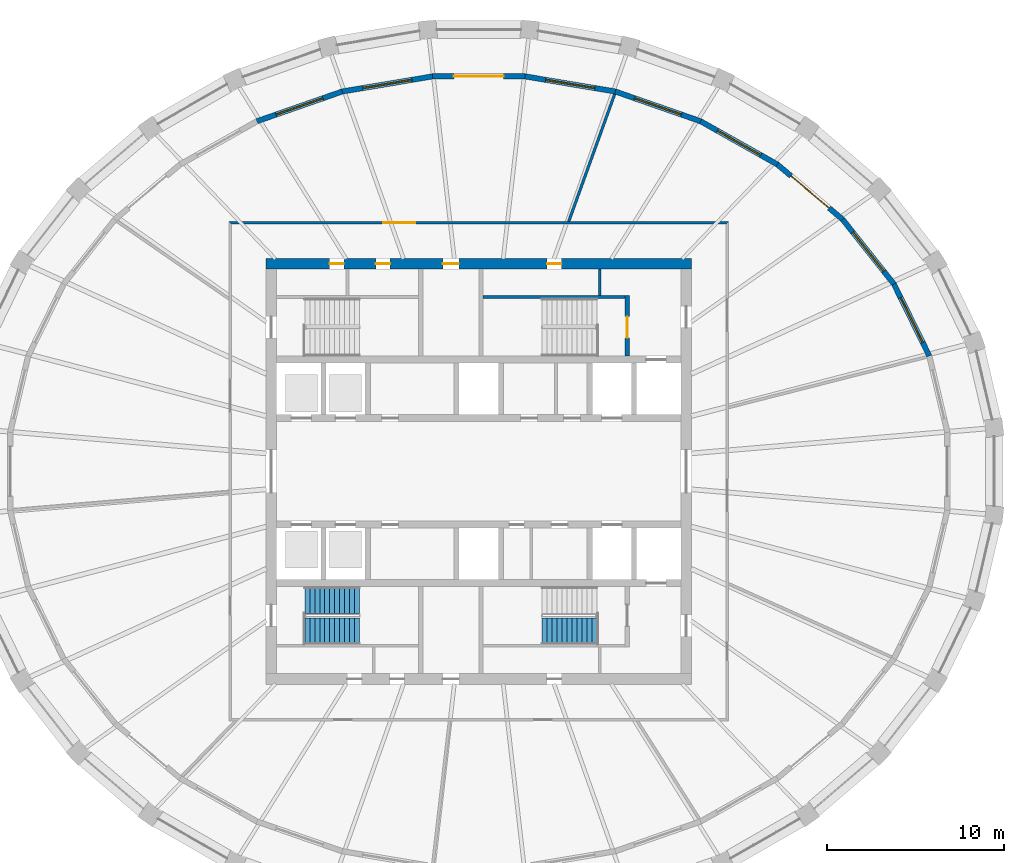
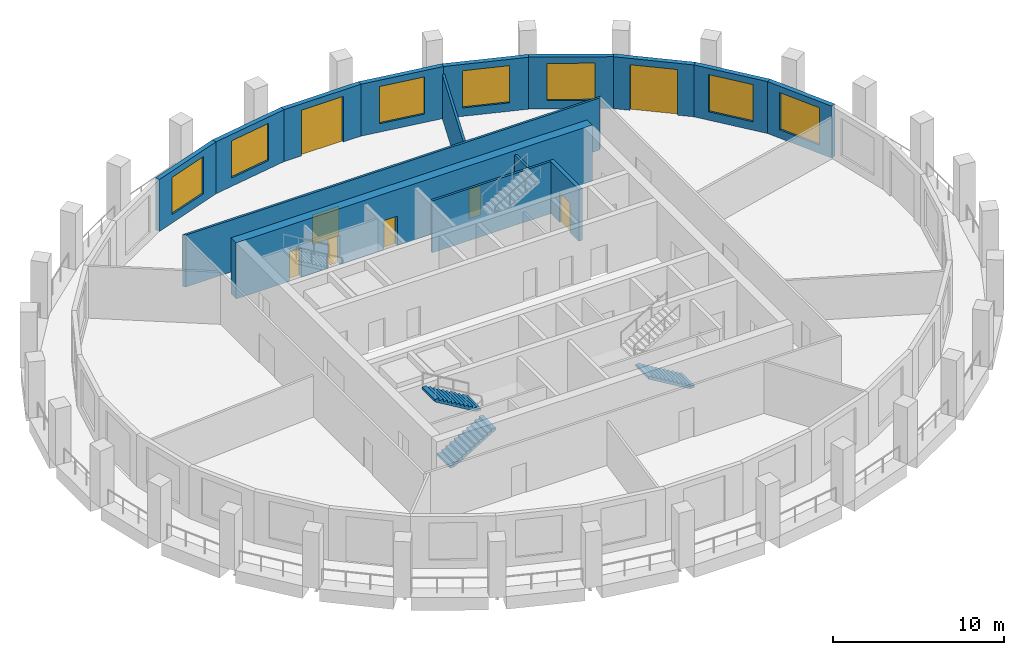
# One storey, part 6 of 10: 15 walls, 8 doors, 7 windows, 3 stair flights, 15 openings, 2 elements without a shape of their own.
"""IFC4 building model written with IfcOpenShell, lengths in metres."""

from ifc_helpers import new_model, si_unit, direction, frame, frame_2d, origin, place, context, subcontext, project, spatial, polyline, rectangle, outline, extrude, material, layer, layer_set, type_object, element, fill, aggregate, save


model = new_model("IFC4")

# Units and contexts
model_context = context("Model", 3, precision=1e-05, world=origin(), true_north=direction((0.0, 1.0)))
body_context = subcontext(model_context, "Body", "Model", "MODEL_VIEW")
ifc_project = project(units=[si_unit("LENGTHUNIT", "METRE"), si_unit("AREAUNIT", "SQUARE_METRE"), si_unit("VOLUMEUNIT", "CUBIC_METRE"), si_unit("PLANEANGLEUNIT", "RADIAN"), si_unit("MASSUNIT", "GRAM", prefix="KILO")], contexts=[model_context])

# Site, building, storey
site_placement = place(None, origin())
site = spatial("IfcSite", under=ifc_project, at=site_placement, CompositionType="ELEMENT")
building_placement = place(site_placement, origin())
building = spatial("IfcBuilding", under=site, at=building_placement, Name="Halqa Exchange Tower", CompositionType="ELEMENT")
storey_placement = place(building_placement, frame((0.0, 0.0, 292.300048828125)))
storey = spatial("IfcBuildingStorey", under=building, at=storey_placement, Name="L68", CompositionType="ELEMENT", Elevation=292.300048828125)

# Wall, opening, door
ifc_material_1 = material(Name="Fire-rated gypsum board")
ifc_layer_1 = layer(ifc_material_1, 0.14990234375)
ifc_layer_set_1 = layer_set([ifc_layer_1], Name="Fire-rated gypsum board")
wall_type_1 = type_object("IfcWallType", Name="Fire partition EI 60 150", PredefinedType="PARTITIONING", material=ifc_layer_set_1)
wall_1_placement = place(storey_placement, frame((-14.074951171875, 14.0, 0.0), z_axis=(0.0, 0.0, 1.0), x_axis=(1.0, 0.0, 0.0)))
wall_1 = element("IfcWall", 1, at=wall_1_placement, inside=storey, type_object=wall_type_1, Name="L68-PWL-005", PredefinedType="PARTITIONING", context=body_context, shape_type="SweptSolid", body=[
    extrude(outline(polyline([(0.14990234375, -0.074951171875), (2.13916015625, -0.074951171875), (4.12841796875, -0.074951171875), (6.11767578125, -0.074951171875), (8.107177734375, -0.074951171875), (10.096435546875, -0.074951171875), (12.085693359375, -0.074951171875), (14.074951171875, -0.074951171875), (16.064208984375, -0.074951171875), (18.053466796875, -0.074951171875), (20.042724609375, -0.074951171875), (22.0322265625, -0.074951171875), (24.021484375, -0.074951171875), (26.0107421875, -0.074951171875), (28.0, -0.074951171875), (28.14990234375, 0.074951171875), (26.273193359375, 0.074951171875), (24.396484375, 0.074951171875), (22.52001953125, 0.074951171875), (20.643310546875, 0.074951171875), (18.7666015625, 0.074951171875), (16.889892578125, 0.074951171875), (15.01318359375, 0.074951171875), (13.13671875, 0.074951171875), (11.260009765625, 0.074951171875), (9.38330078125, 0.074951171875), (7.506591796875, 0.074951171875), (5.6298828125, 0.074951171875), (3.75341796875, 0.074951171875), (1.876708984375, 0.074951171875), (0.0, 0.074951171875), (0.14990234375, -0.074951171875)])), origin(), (0.0, 0.0, 1.0), 3.699951171875),
])
opening_1_placement = place(wall_1_placement, frame((8.695068359375, 0.0, 0.0)))
opening_1 = element("IfcOpeningElement", 2, at=opening_1_placement, cuts=wall_1, Name="Opening 21-08", PredefinedType="OPENING", context=body_context, shape_type="SweptSolid", body=[
    extrude(rectangle(XDim=1.800048828125, YDim=2.10009765625, at=frame_2d((0.89990234375, 1.050048828125))), frame((0.0, 0.0869140625, 0.0), z_axis=(0.0, -1.0, 0.0), x_axis=(1.0, 0.0, 0.0)), (0.0, 0.0, 1.0), 0.173828125),
])
ifc_material_2 = material(Name="Steel fire door leaf", Category="steel")
door_type_1 = type_object("IfcDoorType", Name="Fire door FD30S double 1800 x 2100", OperationType="DOUBLE_DOOR_SINGLE_SWING", PredefinedType="DOOR", material=ifc_material_2)
door_1_placement = place(opening_1_placement, origin())
door_1 = element("IfcDoor", 3, at=door_1_placement, inside=storey, type_object=door_type_1, Name="L68-IDR-008", OperationType="DOUBLE_DOOR_SINGLE_SWING", OverallHeight=2.10009765625, OverallWidth=1.800048828125, PredefinedType="DOOR", context=body_context, shape_type="SweptSolid", body=[
    extrude(rectangle(XDim=1.800048828125, YDim=2.10009765625, at=frame_2d((0.89990234375, 1.050048828125))), frame((0.0, 0.02490234375, 0.0), z_axis=(0.0, -1.0, 0.0), x_axis=(1.0, 0.0, 0.0)), (0.0, 0.0, 1.0), 0.050048828125),
])
fill(opening_1, door_1)

# Walls
wall_2_placement = place(storey_placement, frame((5.05810546875, 14.0498046875, 0.0), z_axis=(0.0, 0.0, 1.0), x_axis=(0.339337577603, 0.940664663111, 0.0)))
element("IfcWall", 4, at=wall_2_placement, inside=storey, type_object=wall_type_1, Name="L68-PWL-008", PredefinedType="PARTITIONING", context=body_context, shape_type="SweptSolid", body=[
    extrude(outline(polyline([(7.663818359375, -0.074951171875), (7.663818359375, -0.03857421875), (7.663330078125, -0.000244140625), (7.649658203125, 0.074951171875), (5.7373046875, 0.074951171875), (3.82470703125, 0.074951171875), (1.912353515625, 0.074951171875), (0.0, 0.074951171875), (0.0, 0.07421875), (0.0537109375, -0.074951171875), (1.956298828125, -0.074951171875), (3.85888671875, -0.074951171875), (5.76123046875, -0.074951171875), (7.663818359375, -0.074951171875)])), origin(), (0.0, 0.0, 1.0), 3.14990234375),
])
ifc_material_3 = material(Name="Gypsum board")
ifc_layer_2 = layer(ifc_material_3, 0.14990234375)
ifc_layer_set_2 = layer_set([ifc_layer_2], Name="Gypsum board")
wall_type_2 = type_object("IfcWallType", Name="Penthouse riser wall 150 gypsum", PredefinedType="PARTITIONING", material=ifc_layer_set_2)
wall_3_placement = place(storey_placement, frame((6.824951171875, 9.89990234375, 0.0), z_axis=(0.0, 0.0, 1.0), x_axis=(0.0, 1.0, 0.0)))
element("IfcWall", 5, at=wall_3_placement, inside=storey, type_object=wall_type_2, Name="Firefighting lobby west wall N", PredefinedType="PARTITIONING", context=body_context, shape_type="SweptSolid", body=[
    extrude(rectangle(XDim=1.5, YDim=0.14990234375, at=frame_2d((0.75, 0.0))), origin(), (0.0, 0.0, 1.0), 3.699951171875),
])

# Wall, openings, doors
ifc_material_4 = material(Name="Concrete C60/75", Category="concrete")
ifc_layer_3 = layer(ifc_material_4, 0.60009765625)
ifc_layer_set_3 = layer_set([ifc_layer_3], Name="Concrete C60/75")
wall_type_3 = type_object("IfcWallType", Name="RC core wall 600 C60/75", PredefinedType="SHEAR", material=ifc_layer_set_3)
wall_4_placement = place(storey_placement, frame((-12.0, 11.699951171875, 0.0), z_axis=(0.0, 0.0, 1.0), x_axis=(1.0, 0.0, 0.0)))
wall_4 = element("IfcWall", 6, at=wall_4_placement, inside=storey, type_object=wall_type_3, Name="Core wall north", PredefinedType="SHEAR", context=body_context, shape_type="SweptSolid", body=[
    extrude(rectangle(XDim=24.0, YDim=0.60009765625, at=frame_2d((12.0, 0.0))), origin(), (0.0, 0.0, 1.0), 4.0),
])
opening_2_placement = place(wall_4_placement, frame((9.97509765625, 0.0, 0.0)))
opening_2 = element("IfcOpeningElement", 7, at=opening_2_placement, cuts=wall_4, Name="Opening T21-C17", PredefinedType="OPENING", context=body_context, shape_type="SweptSolid", body=[
    extrude(rectangle(XDim=0.89990234375, YDim=2.10009765625, at=frame_2d((0.449951171875, 1.050048828125))), frame((0.0, 0.31201171875, 0.0), z_axis=(0.0, -1.0, 0.0), x_axis=(1.0, 0.0, 0.0)), (0.0, 0.0, 1.0), 0.6240234375),
])
opening_3_placement = place(wall_4_placement, frame((3.60009765625, 0.0, 0.0)))
opening_3 = element("IfcOpeningElement", 8, at=opening_3_placement, cuts=wall_4, Name="Opening T21-C18", PredefinedType="OPENING", context=body_context, shape_type="SweptSolid", body=[
    extrude(rectangle(XDim=0.800048828125, YDim=2.10009765625, at=frame_2d((0.39990234375, 1.050048828125))), frame((0.0, 0.31201171875, 0.0), z_axis=(0.0, -1.0, 0.0), x_axis=(1.0, 0.0, 0.0)), (0.0, 0.0, 1.0), 0.6240234375),
])
opening_4_placement = place(wall_4_placement, frame((6.199951171875, 0.0, 0.0)))
opening_4 = element("IfcOpeningElement", 9, at=opening_4_placement, cuts=wall_4, Name="Opening T21-C19", PredefinedType="OPENING", context=body_context, shape_type="SweptSolid", body=[
    extrude(rectangle(XDim=0.800048828125, YDim=2.10009765625, at=frame_2d((0.39990234375, 1.050048828125))), frame((0.0, 0.31201171875, 0.0), z_axis=(0.0, -1.0, 0.0), x_axis=(1.0, 0.0, 0.0)), (0.0, 0.0, 1.0), 0.6240234375),
])
opening_5_placement = place(wall_4_placement, frame((15.85009765625, 0.0, 0.0)))
opening_5 = element("IfcOpeningElement", 10, at=opening_5_placement, cuts=wall_4, Name="Opening T21-C20", PredefinedType="OPENING", context=body_context, shape_type="SweptSolid", body=[
    extrude(rectangle(XDim=0.800048828125, YDim=2.10009765625, at=frame_2d((0.39990234375, 1.050048828125))), frame((0.0, 0.31201171875, 0.0), z_axis=(0.0, -1.0, 0.0), x_axis=(1.0, 0.0, 0.0)), (0.0, 0.0, 1.0), 0.6240234375),
])
ifc_material_5 = material(Name="Timber fire door leaf", Category="wood")
door_type_2 = type_object("IfcDoorType", Name="Core room door FD30 900 x 2100", OperationType="SINGLE_SWING_LEFT", PredefinedType="DOOR", material=ifc_material_5)
door_2_placement = place(opening_2_placement, frame((0.89990234375, 0.0, 0.0), z_axis=(0.0, 0.0, 1.0), x_axis=(-1.0, 0.0, 0.0)))
door_2 = element("IfcDoor", 11, at=door_2_placement, inside=storey, type_object=door_type_2, Name="Core room door", OperationType="SINGLE_SWING_RIGHT", OverallHeight=2.10009765625, OverallWidth=0.89990234375, PredefinedType="DOOR", context=body_context, shape_type="SweptSolid", body=[
    extrude(rectangle(XDim=0.89990234375, YDim=2.10009765625, at=frame_2d((0.449951171875, 1.050048828125))), frame((0.0, 0.02490234375, 0.0), z_axis=(0.0, -1.0, 0.0), x_axis=(1.0, 0.0, 0.0)), (0.0, 0.0, 1.0), 0.050048828125),
])
fill(opening_2, door_2)
door_type_3 = type_object("IfcDoorType", Name="Riser door FD60 800 x 2100", OperationType="SINGLE_SWING_LEFT", PredefinedType="DOOR", material=ifc_material_2)
door_3_placement = place(opening_3_placement, frame((0.800048828125, 0.0, 0.0), z_axis=(0.0, 0.0, 1.0), x_axis=(-1.0, 0.0, 0.0)))
door_3 = element("IfcDoor", 12, at=door_3_placement, inside=storey, type_object=door_type_3, Name="Core room door", OperationType="SINGLE_SWING_RIGHT", OverallHeight=2.10009765625, OverallWidth=0.800048828125, PredefinedType="DOOR", context=body_context, shape_type="SweptSolid", body=[
    extrude(rectangle(XDim=0.800048828125, YDim=2.10009765625, at=frame_2d((0.39990234375, 1.050048828125))), frame((0.0, 0.02490234375, 0.0), z_axis=(0.0, -1.0, 0.0), x_axis=(1.0, 0.0, 0.0)), (0.0, 0.0, 1.0), 0.050048828125),
])
fill(opening_3, door_3)
door_4_placement = place(opening_4_placement, frame((0.800048828125, 0.0, 0.0), z_axis=(0.0, 0.0, 1.0), x_axis=(-1.0, 0.0, 0.0)))
door_4 = element("IfcDoor", 13, at=door_4_placement, inside=storey, type_object=door_type_3, Name="Core room door", OperationType="SINGLE_SWING_LEFT", OverallHeight=2.10009765625, OverallWidth=0.800048828125, PredefinedType="DOOR", context=body_context, shape_type="SweptSolid", body=[
    extrude(rectangle(XDim=0.800048828125, YDim=2.10009765625, at=frame_2d((0.39990234375, 1.050048828125))), frame((0.0, 0.02490234375, 0.0), z_axis=(0.0, -1.0, 0.0), x_axis=(1.0, 0.0, 0.0)), (0.0, 0.0, 1.0), 0.050048828125),
])
fill(opening_4, door_4)
door_5_placement = place(opening_5_placement, frame((0.800048828125, 0.0, 0.0), z_axis=(0.0, 0.0, 1.0), x_axis=(-1.0, 0.0, 0.0)))
door_5 = element("IfcDoor", 14, at=door_5_placement, inside=storey, type_object=door_type_3, Name="Core room door", OperationType="SINGLE_SWING_RIGHT", OverallHeight=2.10009765625, OverallWidth=0.800048828125, PredefinedType="DOOR", context=body_context, shape_type="SweptSolid", body=[
    extrude(rectangle(XDim=0.800048828125, YDim=2.10009765625, at=frame_2d((0.39990234375, 1.050048828125))), frame((0.0, 0.02490234375, 0.0), z_axis=(0.0, -1.0, 0.0), x_axis=(1.0, 0.0, 0.0)), (0.0, 0.0, 1.0), 0.050048828125),
])
fill(opening_5, door_5)

# Wall
ifc_material_6 = material(Name="Concrete C30/37", Category="concrete")
ifc_layer_4 = layer(ifc_material_6, 0.14990234375)
ifc_layer_set_4 = layer_set([ifc_layer_4], Name="Concrete C30/37")
wall_type_4 = type_object("IfcWallType", Name="RC stair wall 150 C30/37", PredefinedType="SHEAR", material=ifc_layer_set_4)
wall_5_placement = place(storey_placement, frame((0.25, 9.824951171875, 0.0), z_axis=(0.0, 0.0, 1.0), x_axis=(1.0, 0.0, 0.0)))
element("IfcWall", 15, at=wall_5_placement, inside=storey, type_object=wall_type_4, Name="Stair ST2 north wall N", PredefinedType="SHEAR", context=body_context, shape_type="SweptSolid", body=[
    extrude(rectangle(XDim=8.0, YDim=0.14990234375, at=frame_2d((4.0, 0.0))), origin(), (0.0, 0.0, 1.0), 3.699951171875),
])

# Wall, opening, door
ifc_layer_5 = layer(ifc_material_6, 0.25)
ifc_layer_set_5 = layer_set([ifc_layer_5], Name="Concrete C30/37")
wall_type_5 = type_object("IfcWallType", Name="RC stair wall 250 C30/37", PredefinedType="SHEAR", material=ifc_layer_set_5)
wall_6_placement = place(storey_placement, frame((8.375, 6.5, 0.0), z_axis=(0.0, 0.0, 1.0), x_axis=(0.0, 1.0, 0.0)))
wall_6 = element("IfcWall", 16, at=wall_6_placement, inside=storey, type_object=wall_type_5, Name="Stair ST2 east wall N", PredefinedType="SHEAR", context=body_context, shape_type="SweptSolid", body=[
    extrude(rectangle(XDim=3.39990234375, YDim=0.25, at=frame_2d((1.699951171875, 0.0))), origin(), (0.0, 0.0, 1.0), 3.699951171875),
])
opening_6_placement = place(wall_6_placement, frame((1.02490234375, 0.0, 0.0)))
opening_6 = element("IfcOpeningElement", 17, at=opening_6_placement, cuts=wall_6, Name="Opening T21-C12", PredefinedType="OPENING", context=body_context, shape_type="SweptSolid", body=[
    extrude(rectangle(XDim=1.199951171875, YDim=2.10009765625, at=frame_2d((0.60009765625, 1.050048828125))), frame((0.0, 0.136962890625, 0.0), z_axis=(0.0, -1.0, 0.0), x_axis=(1.0, 0.0, 0.0)), (0.0, 0.0, 1.0), 0.27392578125),
])
door_type_4 = type_object("IfcDoorType", Name="Stair door FD90 1200 x 2100", OperationType="SINGLE_SWING_LEFT", PredefinedType="DOOR", material=ifc_material_2)
door_6_placement = place(opening_6_placement, origin())
door_6 = element("IfcDoor", 18, at=door_6_placement, inside=storey, type_object=door_type_4, Name="Stair door ST2", OperationType="SINGLE_SWING_RIGHT", OverallHeight=2.10009765625, OverallWidth=1.199951171875, PredefinedType="DOOR", context=body_context, shape_type="SweptSolid", body=[
    extrude(rectangle(XDim=1.199951171875, YDim=2.10009765625, at=frame_2d((0.60009765625, 1.050048828125))), frame((0.0, 0.02490234375, 0.0), z_axis=(0.0, -1.0, 0.0), x_axis=(1.0, 0.0, 0.0)), (0.0, 0.0, 1.0), 0.050048828125),
])
fill(opening_6, door_6)

# Wall, opening, window
ifc_material_7 = material(Name="Limestone cladding", Category="masonry")
ifc_layer_6 = layer(ifc_material_7, 0.0400390625)
ifc_material_8 = material(Name="Ventilated cavity")
ifc_layer_7 = layer(ifc_material_8, 0.030029296875, ventilated=True)
ifc_material_9 = material(Name="Mineral wool insulation")
ifc_layer_8 = layer(ifc_material_9, 0.10009765625)
ifc_layer_9 = layer(ifc_material_6, 0.10009765625)
ifc_material_10 = material(Name="Internal plaster")
ifc_layer_10 = layer(ifc_material_10, 0.030029296875)
ifc_layer_set_6 = layer_set([ifc_layer_6, ifc_layer_7, ifc_layer_8, ifc_layer_9, ifc_layer_10], Name="Stone-faced insulated wall 300")
wall_type_6 = type_object("IfcWallType", Name="Stone-faced insulated wall 300", PredefinedType="STANDARD", material=ifc_layer_set_6)
wall_7_placement = place(storey_placement, frame((25.39013671875, 6.499755859375, 0.0), z_axis=(0.0, 0.0, 1.0), x_axis=(-0.441431671743, 0.897294867467, 0.0)))
wall_7 = element("IfcWall", 19, at=wall_7_placement, inside=storey, type_object=wall_type_6, Name="Glass-line wall 2", PredefinedType="STANDARD", context=body_context, shape_type="SweptSolid", body=[
    extrude(outline(polyline([(-0.016845703125, -0.14990234375), (4.532958984375, -0.14990234375), (4.500732421875, 0.14990234375), (0.016845703125, 0.14990234375), (-0.016845703125, -0.14990234375)])), origin(), (0.0, 0.0, 1.0), 3.699951171875),
])
opening_7_placement = place(wall_7_placement, frame((0.8583984375, 0.0, 0.60009765625)))
opening_7 = element("IfcOpeningElement", 20, at=opening_7_placement, cuts=wall_7, Name="Opening W-F4-02", PredefinedType="OPENING", context=body_context, shape_type="SweptSolid", body=[
    extrude(rectangle(XDim=2.800048828125, YDim=2.64990234375, at=frame_2d((1.39990234375, 1.324951171875))), frame((0.0, 0.162109375, 0.0), z_axis=(0.0, -1.0, 0.0), x_axis=(1.0, 0.0, 0.0)), (0.0, 0.0, 1.0), 0.323974609375),
])
ifc_material_11 = material(Name="Clear low-emissivity glass in aluminium frame", Category="aluminium")
window_type = type_object("IfcWindowType", Name="Fixed clear glazed window 2800 x 2650", PartitioningType="DOUBLE_PANEL_VERTICAL", PredefinedType="WINDOW", material=ifc_material_11)
window_1_placement = place(opening_7_placement, origin())
window_1 = element("IfcWindow", 21, at=window_1_placement, inside=storey, type_object=window_type, Name="Window 4", OverallHeight=2.64990234375, OverallWidth=2.800048828125, PartitioningType="DOUBLE_PANEL_VERTICAL", PredefinedType="WINDOW", context=body_context, shape_type="SweptSolid", body=[
    extrude(rectangle(XDim=2.800048828125, YDim=2.64990234375, at=frame_2d((1.39990234375, 1.324951171875))), frame((0.0, 0.030029296875, 0.0), z_axis=(0.0, -1.0, 0.0), x_axis=(1.0, 0.0, 0.0)), (0.0, 0.0, 1.0), 0.06005859375),
])
fill(opening_7, window_1)

wall_8_placement = place(storey_placement, frame((23.396240234375, 10.552734375, 0.0), z_axis=(0.0, 0.0, 1.0), x_axis=(-0.621625671247, 0.783314448256, 0.0)))
wall_8 = element("IfcWall", 22, at=wall_8_placement, inside=storey, type_object=wall_type_6, Name="Glass-line wall 3", PredefinedType="STANDARD", context=body_context, shape_type="SweptSolid", body=[
    extrude(outline(polyline([(-0.01611328125, -0.14990234375), (4.668701171875, -0.14990234375), (4.638427734375, 0.14990234375), (0.01611328125, 0.14990234375), (-0.01611328125, -0.14990234375)])), origin(), (0.0, 0.0, 1.0), 3.699951171875),
])
opening_8_placement = place(wall_8_placement, frame((0.927001953125, 0.0, 0.60009765625)))
opening_8 = element("IfcOpeningElement", 23, at=opening_8_placement, cuts=wall_8, Name="Opening W-F4-03", PredefinedType="OPENING", context=body_context, shape_type="SweptSolid", body=[
    extrude(rectangle(XDim=2.800048828125, YDim=2.64990234375, at=frame_2d((1.39990234375, 1.324951171875))), frame((0.0, 0.162109375, 0.0), z_axis=(0.0, -1.0, 0.0), x_axis=(1.0, 0.0, 0.0)), (0.0, 0.0, 1.0), 0.323974609375),
])
window_2_placement = place(opening_8_placement, origin())
window_2 = element("IfcWindow", 24, at=window_2_placement, inside=storey, type_object=window_type, Name="Window 4", OverallHeight=2.64990234375, OverallWidth=2.800048828125, PartitioningType="DOUBLE_PANEL_VERTICAL", PredefinedType="WINDOW", context=body_context, shape_type="SweptSolid", body=[
    extrude(rectangle(XDim=2.800048828125, YDim=2.64990234375, at=frame_2d((1.39990234375, 1.324951171875))), frame((0.0, 0.030029296875, 0.0), z_axis=(0.0, -1.0, 0.0), x_axis=(1.0, 0.0, 0.0)), (0.0, 0.0, 1.0), 0.06005859375),
])
fill(opening_8, window_2)

# Wall, opening, door
wall_9_placement = place(storey_placement, frame((20.50341796875, 14.197998046875, 0.0), z_axis=(0.0, 0.0, 1.0), x_axis=(-0.764966473721, 0.644070100286, 0.0)))
wall_9 = element("IfcWall", 25, at=wall_9_placement, inside=storey, type_object=wall_type_6, Name="Glass-line wall 4", PredefinedType="STANDARD", context=body_context, shape_type="SweptSolid", body=[
    extrude(outline(polyline([(-0.01513671875, -0.14990234375), (4.824462890625, -0.14990234375), (4.796142578125, 0.14990234375), (0.01513671875, 0.14990234375), (-0.01513671875, -0.14990234375)])), origin(), (0.0, 0.0, 1.0), 3.699951171875),
])
opening_9_placement = place(wall_9_placement, frame((1.005126953125, 0.0, 0.0)))
opening_9 = element("IfcOpeningElement", 26, at=opening_9_placement, cuts=wall_9, Name="Opening LG-F4-01", PredefinedType="OPENING", context=body_context, shape_type="SweptSolid", body=[
    extrude(rectangle(XDim=2.800048828125, YDim=3.25, at=frame_2d((1.39990234375, 1.625))), frame((0.0, 0.162109375, 0.0), z_axis=(0.0, -1.0, 0.0), x_axis=(1.0, 0.0, 0.0)), (0.0, 0.0, 1.0), 0.323974609375),
])
door_type_5 = type_object("IfcDoorType", Name="Glazed sliding loggia door 2800 x 3250", OperationType="DOUBLE_DOOR_SLIDING", PredefinedType="DOOR", material=ifc_material_11)
door_7_placement = place(opening_9_placement, origin())
door_7 = element("IfcDoor", 27, at=door_7_placement, inside=storey, type_object=door_type_5, Name="Loggia door 1", OperationType="DOUBLE_DOOR_SLIDING", OverallHeight=3.25, OverallWidth=2.800048828125, PredefinedType="DOOR", context=body_context, shape_type="SweptSolid", body=[
    extrude(rectangle(XDim=2.800048828125, YDim=3.25, at=frame_2d((1.39990234375, 1.625))), frame((0.0, 0.02490234375, 0.0), z_axis=(0.0, -1.0, 0.0), x_axis=(1.0, 0.0, 0.0)), (0.0, 0.0, 1.0), 0.050048828125),
])
fill(opening_9, door_7)

# Wall, opening, window
wall_10_placement = place(storey_placement, frame((16.82373046875, 17.296142578125, 0.0), z_axis=(0.0, 0.0, 1.0), x_axis=(-0.871512454536, 0.490373369575, 0.0)))
wall_10 = element("IfcWall", 28, at=wall_10_placement, inside=storey, type_object=wall_type_6, Name="Glass-line wall 5", PredefinedType="STANDARD", context=body_context, shape_type="SweptSolid", body=[
    extrude(outline(polyline([(-0.01416015625, -0.14990234375), (4.97509765625, -0.14990234375), (4.9482421875, 0.14990234375), (0.01416015625, 0.14990234375), (-0.01416015625, -0.14990234375)])), origin(), (0.0, 0.0, 1.0), 3.699951171875),
])
opening_10_placement = place(wall_10_placement, frame((1.080810546875, 0.0, 0.60009765625)))
opening_10 = element("IfcOpeningElement", 29, at=opening_10_placement, cuts=wall_10, Name="Opening W-F4-05", PredefinedType="OPENING", context=body_context, shape_type="SweptSolid", body=[
    extrude(rectangle(XDim=2.800048828125, YDim=2.64990234375, at=frame_2d((1.39990234375, 1.324951171875))), frame((0.0, 0.162109375, 0.0), z_axis=(0.0, -1.0, 0.0), x_axis=(1.0, 0.0, 0.0)), (0.0, 0.0, 1.0), 0.323974609375),
])
window_3_placement = place(opening_10_placement, origin())
window_3 = element("IfcWindow", 30, at=window_3_placement, inside=storey, type_object=window_type, Name="Window 4", OverallHeight=2.64990234375, OverallWidth=2.800048828125, PartitioningType="DOUBLE_PANEL_VERTICAL", PredefinedType="WINDOW", context=body_context, shape_type="SweptSolid", body=[
    extrude(rectangle(XDim=2.800048828125, YDim=2.64990234375, at=frame_2d((1.39990234375, 1.324951171875))), frame((0.0, 0.030029296875, 0.0), z_axis=(0.0, -1.0, 0.0), x_axis=(1.0, 0.0, 0.0)), (0.0, 0.0, 1.0), 0.06005859375),
])
fill(opening_10, window_3)

wall_11_placement = place(storey_placement, frame((12.49951171875, 19.729248046875, 0.0), z_axis=(0.0, 0.0, 1.0), x_axis=(-0.944230376095, 0.329285585564, 0.0)))
wall_11 = element("IfcWall", 31, at=wall_11_placement, inside=storey, type_object=wall_type_6, Name="Glass-line wall 6", PredefinedType="STANDARD", context=body_context, shape_type="SweptSolid", body=[
    extrude(outline(polyline([(-0.013427734375, -0.14990234375), (5.099609375, -0.14990234375), (5.07421875, 0.14990234375), (0.013427734375, 0.14990234375), (-0.013427734375, -0.14990234375)])), origin(), (0.0, 0.0, 1.0), 3.699951171875),
])
opening_11_placement = place(wall_11_placement, frame((1.143310546875, 0.0, 0.60009765625)))
opening_11 = element("IfcOpeningElement", 32, at=opening_11_placement, cuts=wall_11, Name="Opening W-F4-06", PredefinedType="OPENING", context=body_context, shape_type="SweptSolid", body=[
    extrude(rectangle(XDim=2.800048828125, YDim=2.64990234375, at=frame_2d((1.39990234375, 1.324951171875))), frame((0.0, 0.162109375, 0.0), z_axis=(0.0, -1.0, 0.0), x_axis=(1.0, 0.0, 0.0)), (0.0, 0.0, 1.0), 0.323974609375),
])
window_4_placement = place(opening_11_placement, origin())
window_4 = element("IfcWindow", 33, at=window_4_placement, inside=storey, type_object=window_type, Name="Window 4", OverallHeight=2.64990234375, OverallWidth=2.800048828125, PartitioningType="DOUBLE_PANEL_VERTICAL", PredefinedType="WINDOW", context=body_context, shape_type="SweptSolid", body=[
    extrude(rectangle(XDim=2.800048828125, YDim=2.64990234375, at=frame_2d((1.39990234375, 1.324951171875))), frame((0.0, 0.030029296875, 0.0), z_axis=(0.0, -1.0, 0.0), x_axis=(1.0, 0.0, 0.0)), (0.0, 0.0, 1.0), 0.06005859375),
])
fill(opening_11, window_4)

wall_12_placement = place(storey_placement, frame((7.6962890625, 21.404296875, 0.0), z_axis=(0.0, 0.0, 1.0), x_axis=(-0.986263399459, 0.165180225475, 0.0)))
wall_12 = element("IfcWall", 34, at=wall_12_placement, inside=storey, type_object=wall_type_6, Name="Glass-line wall 7", PredefinedType="STANDARD", context=body_context, shape_type="SweptSolid", body=[
    extrude(outline(polyline([(-0.0126953125, -0.14990234375), (5.18115234375, -0.14990234375), (5.15625, 0.14990234375), (0.0126953125, 0.14990234375), (-0.0126953125, -0.14990234375)])), origin(), (0.0, 0.0, 1.0), 3.699951171875),
])
opening_12_placement = place(wall_12_placement, frame((1.184326171875, 0.0, 0.60009765625)))
opening_12 = element("IfcOpeningElement", 35, at=opening_12_placement, cuts=wall_12, Name="Opening W-F4-07", PredefinedType="OPENING", context=body_context, shape_type="SweptSolid", body=[
    extrude(rectangle(XDim=2.800048828125, YDim=2.64990234375, at=frame_2d((1.39990234375, 1.324951171875))), frame((0.0, 0.162109375, 0.0), z_axis=(0.0, -1.0, 0.0), x_axis=(1.0, 0.0, 0.0)), (0.0, 0.0, 1.0), 0.323974609375),
])
window_5_placement = place(opening_12_placement, origin())
window_5 = element("IfcWindow", 36, at=window_5_placement, inside=storey, type_object=window_type, Name="Window 4", OverallHeight=2.64990234375, OverallWidth=2.800048828125, PartitioningType="DOUBLE_PANEL_VERTICAL", PredefinedType="WINDOW", context=body_context, shape_type="SweptSolid", body=[
    extrude(rectangle(XDim=2.800048828125, YDim=2.64990234375, at=frame_2d((1.39990234375, 1.324951171875))), frame((0.0, 0.030029296875, 0.0), z_axis=(0.0, -1.0, 0.0), x_axis=(1.0, 0.0, 0.0)), (0.0, 0.0, 1.0), 0.06005859375),
])
fill(opening_12, window_5)

# Wall, opening, door
wall_13_placement = place(storey_placement, frame((2.5986328125, 22.258056640625, 0.0), z_axis=(0.0, 0.0, 1.0), x_axis=(-1.0, 0.0, 0.0)))
wall_13 = element("IfcWall", 37, at=wall_13_placement, inside=storey, type_object=wall_type_6, Name="Glass-line wall 8", PredefinedType="STANDARD", context=body_context, shape_type="SweptSolid", body=[
    extrude(outline(polyline([(-0.012451171875, -0.14990234375), (5.209716796875, -0.14990234375), (5.184814453125, 0.14990234375), (0.012451171875, 0.14990234375), (-0.012451171875, -0.14990234375)])), origin(), (0.0, 0.0, 1.0), 3.699951171875),
])
opening_13_placement = place(wall_13_placement, frame((1.198486328125, 0.0, 0.0)))
opening_13 = element("IfcOpeningElement", 38, at=opening_13_placement, cuts=wall_13, Name="Opening LG-F4-02", PredefinedType="OPENING", context=body_context, shape_type="SweptSolid", body=[
    extrude(rectangle(XDim=2.800048828125, YDim=3.25, at=frame_2d((1.39990234375, 1.625))), frame((0.0, 0.162109375, 0.0), z_axis=(0.0, -1.0, 0.0), x_axis=(1.0, 0.0, 0.0)), (0.0, 0.0, 1.0), 0.323974609375),
])
door_8_placement = place(opening_13_placement, origin())
door_8 = element("IfcDoor", 39, at=door_8_placement, inside=storey, type_object=door_type_5, Name="Loggia door 2", OperationType="DOUBLE_DOOR_SLIDING", OverallHeight=3.25, OverallWidth=2.800048828125, PredefinedType="DOOR", context=body_context, shape_type="SweptSolid", body=[
    extrude(rectangle(XDim=2.800048828125, YDim=3.25, at=frame_2d((1.39990234375, 1.625))), frame((0.0, 0.02490234375, 0.0), z_axis=(0.0, -1.0, 0.0), x_axis=(1.0, 0.0, 0.0)), (0.0, 0.0, 1.0), 0.050048828125),
])
fill(opening_13, door_8)

# Wall, opening, window
wall_14_placement = place(storey_placement, frame((-2.5986328125, 22.258056640625, 0.0), z_axis=(0.0, 0.0, 1.0), x_axis=(-0.986263399459, -0.165180225475, 0.0)))
wall_14 = element("IfcWall", 40, at=wall_14_placement, inside=storey, type_object=wall_type_6, Name="Glass-line wall 9", PredefinedType="STANDARD", context=body_context, shape_type="SweptSolid", body=[
    extrude(outline(polyline([(-0.012451171875, -0.14990234375), (5.181396484375, -0.14990234375), (5.156005859375, 0.14990234375), (0.012451171875, 0.14990234375), (-0.012451171875, -0.14990234375)])), origin(), (0.0, 0.0, 1.0), 3.699951171875),
])
opening_14_placement = place(wall_14_placement, frame((1.184326171875, 0.0, 0.60009765625)))
opening_14 = element("IfcOpeningElement", 41, at=opening_14_placement, cuts=wall_14, Name="Opening W-F4-09", PredefinedType="OPENING", context=body_context, shape_type="SweptSolid", body=[
    extrude(rectangle(XDim=2.800048828125, YDim=2.64990234375, at=frame_2d((1.39990234375, 1.324951171875))), frame((0.0, 0.162109375, 0.0), z_axis=(0.0, -1.0, 0.0), x_axis=(1.0, 0.0, 0.0)), (0.0, 0.0, 1.0), 0.323974609375),
])
window_6_placement = place(opening_14_placement, origin())
window_6 = element("IfcWindow", 42, at=window_6_placement, inside=storey, type_object=window_type, Name="Window 4", OverallHeight=2.64990234375, OverallWidth=2.800048828125, PartitioningType="DOUBLE_PANEL_VERTICAL", PredefinedType="WINDOW", context=body_context, shape_type="SweptSolid", body=[
    extrude(rectangle(XDim=2.800048828125, YDim=2.64990234375, at=frame_2d((1.39990234375, 1.324951171875))), frame((0.0, 0.030029296875, 0.0), z_axis=(0.0, -1.0, 0.0), x_axis=(1.0, 0.0, 0.0)), (0.0, 0.0, 1.0), 0.06005859375),
])
fill(opening_14, window_6)

wall_15_placement = place(storey_placement, frame((-7.6962890625, 21.404296875, 0.0), z_axis=(0.0, 0.0, 1.0), x_axis=(-0.944230376095, -0.329285585564, 0.0)))
wall_15 = element("IfcWall", 43, at=wall_15_placement, inside=storey, type_object=wall_type_6, Name="Glass-line wall 10", PredefinedType="STANDARD", context=body_context, shape_type="SweptSolid", body=[
    extrude(outline(polyline([(-0.0126953125, -0.14990234375), (5.100341796875, -0.14990234375), (5.073486328125, 0.14990234375), (0.0126953125, 0.14990234375), (-0.0126953125, -0.14990234375)])), origin(), (0.0, 0.0, 1.0), 3.699951171875),
])
opening_15_placement = place(wall_15_placement, frame((1.143310546875, 0.0, 0.60009765625)))
opening_15 = element("IfcOpeningElement", 44, at=opening_15_placement, cuts=wall_15, Name="Opening W-F4-10", PredefinedType="OPENING", context=body_context, shape_type="SweptSolid", body=[
    extrude(rectangle(XDim=2.800048828125, YDim=2.64990234375, at=frame_2d((1.39990234375, 1.324951171875))), frame((0.0, 0.162109375, 0.0), z_axis=(0.0, -1.0, 0.0), x_axis=(1.0, 0.0, 0.0)), (0.0, 0.0, 1.0), 0.323974609375),
])
window_7_placement = place(opening_15_placement, origin())
window_7 = element("IfcWindow", 45, at=window_7_placement, inside=storey, type_object=window_type, Name="Window 4", OverallHeight=2.64990234375, OverallWidth=2.800048828125, PartitioningType="DOUBLE_PANEL_VERTICAL", PredefinedType="WINDOW", context=body_context, shape_type="SweptSolid", body=[
    extrude(rectangle(XDim=2.800048828125, YDim=2.64990234375, at=frame_2d((1.39990234375, 1.324951171875))), frame((0.0, 0.030029296875, 0.0), z_axis=(0.0, -1.0, 0.0), x_axis=(1.0, 0.0, 0.0)), (0.0, 0.0, 1.0), 0.06005859375),
])
fill(opening_15, window_7)

# Stair, stair flights
stair_type = type_object("IfcStairType", Name="Exit stair 1500 wide", PredefinedType="HALF_TURN_STAIR", material=ifc_material_6)
stair_1_placement = place(storey_placement, origin())
stair_1 = element("IfcStair", 46, at=stair_1_placement, inside=storey, type_object=stair_type, Name="Exit stair ST3", PredefinedType="HALF_TURN_STAIR")
stair_flight_type = type_object("IfcStairFlightType", Name="Stair flight 1500 wide", PredefinedType="STRAIGHT", material=ifc_material_6)
stair_flight_1_placement = place(storey_placement, frame((-9.800048828125, -9.0, 0.0), z_axis=(0.0, 0.0, 1.0), x_axis=(1.0, 0.0, 0.0)))
stair_flight_1 = element("IfcStairFlight", 47, at=stair_flight_1_placement, type_object=stair_flight_type, Name="ST3 flight 1", NumberOfRisers=12, NumberOfTreads=11, PredefinedType="STRAIGHT", RiserHeight=0.166666667, TreadLength=0.28, context=body_context, shape_type="SweptSolid", body=[
    extrude(outline(polyline([(0.0, 0.0), (0.0, 0.166748046875), (0.280029296875, 0.166748046875), (0.280029296875, 0.333251953125), (0.56005859375, 0.333251953125), (0.56005859375, 0.5), (0.840087890625, 0.5), (0.840087890625, 0.666748046875), (1.1201171875, 0.666748046875), (1.1201171875, 0.833251953125), (1.39990234375, 0.833251953125), (1.39990234375, 1.0), (1.679931640625, 1.0), (1.679931640625, 1.166748046875), (1.9599609375, 1.166748046875), (1.9599609375, 1.333251953125), (2.239990234375, 1.333251953125), (2.239990234375, 1.5), (2.52001953125, 1.5), (2.52001953125, 1.666748046875), (2.800048828125, 1.666748046875), (2.800048828125, 1.833251953125), (3.080078125, 1.833251953125), (3.080078125, 2.0), (3.080078125, 1.658935546875), (0.29296875, 0.0), (0.0, 0.0)])), frame((0.0, 0.75, 0.0), z_axis=(0.0, -1.0, 0.0), x_axis=(1.0, 0.0, 0.0)), (0.0, 0.0, 1.0), 1.5),
])
stair_flight_2_placement = place(storey_placement, frame((-6.719970703125, -7.25, 2.0), z_axis=(0.0, 0.0, 1.0), x_axis=(-1.0, 0.0, 0.0)))
stair_flight_2 = element("IfcStairFlight", 48, at=stair_flight_2_placement, type_object=stair_flight_type, Name="ST3 flight 2", NumberOfRisers=12, NumberOfTreads=11, PredefinedType="STRAIGHT", RiserHeight=0.166666667, TreadLength=0.28, context=body_context, shape_type="SweptSolid", body=[
    extrude(outline(polyline([(0.0, 0.0), (0.0, 0.166748046875), (0.280029296875, 0.166748046875), (0.280029296875, 0.333251953125), (0.56005859375, 0.333251953125), (0.56005859375, 0.5), (0.840087890625, 0.5), (0.840087890625, 0.666748046875), (1.1201171875, 0.666748046875), (1.1201171875, 0.833251953125), (1.39990234375, 0.833251953125), (1.39990234375, 1.0), (1.679931640625, 1.0), (1.679931640625, 1.166748046875), (1.9599609375, 1.166748046875), (1.9599609375, 1.333251953125), (2.239990234375, 1.333251953125), (2.239990234375, 1.5), (2.52001953125, 1.5), (2.52001953125, 1.666748046875), (2.800048828125, 1.666748046875), (2.800048828125, 1.833251953125), (3.080078125, 1.833251953125), (3.080078125, 2.0), (3.080078125, 1.658935546875), (0.29296875, 0.0), (0.0, 0.0)])), frame((0.0, 0.75, 0.0), z_axis=(0.0, -1.0, 0.0), x_axis=(1.0, 0.0, 0.0)), (0.0, 0.0, 1.0), 1.5),
])
aggregate(stair_1, [stair_flight_1, stair_flight_2])

# Stair, stair flight
stair_2_placement = place(storey_placement, origin())
stair_2 = element("IfcStair", 49, at=stair_2_placement, inside=storey, type_object=stair_type, Name="Exit stair ST4", PredefinedType="HALF_TURN_STAIR")
stair_flight_3_placement = place(storey_placement, frame((6.64990234375, -9.0, 0.0), z_axis=(0.0, 0.0, 1.0), x_axis=(-1.0, 0.0, 0.0)))
stair_flight_3 = element("IfcStairFlight", 50, at=stair_flight_3_placement, type_object=stair_flight_type, Name="ST4 flight 1", NumberOfRisers=12, NumberOfTreads=11, PredefinedType="STRAIGHT", RiserHeight=0.166666667, TreadLength=0.28, context=body_context, shape_type="SweptSolid", body=[
    extrude(outline(polyline([(0.0, 0.0), (0.0, 0.166748046875), (0.280029296875, 0.166748046875), (0.280029296875, 0.333251953125), (0.56005859375, 0.333251953125), (0.56005859375, 0.5), (0.840087890625, 0.5), (0.840087890625, 0.666748046875), (1.1201171875, 0.666748046875), (1.1201171875, 0.833251953125), (1.39990234375, 0.833251953125), (1.39990234375, 1.0), (1.679931640625, 1.0), (1.679931640625, 1.166748046875), (1.9599609375, 1.166748046875), (1.9599609375, 1.333251953125), (2.239990234375, 1.333251953125), (2.239990234375, 1.5), (2.52001953125, 1.5), (2.52001953125, 1.666748046875), (2.800048828125, 1.666748046875), (2.800048828125, 1.833251953125), (3.080078125, 1.833251953125), (3.080078125, 2.0), (3.080078125, 1.658935546875), (0.29296875, 0.0), (0.0, 0.0)])), frame((0.0, 0.75, 0.0), z_axis=(0.0, -1.0, 0.0), x_axis=(1.0, 0.0, 0.0)), (0.0, 0.0, 1.0), 1.5),
])
aggregate(stair_2, [stair_flight_3])

save(model, "model.ifc")
